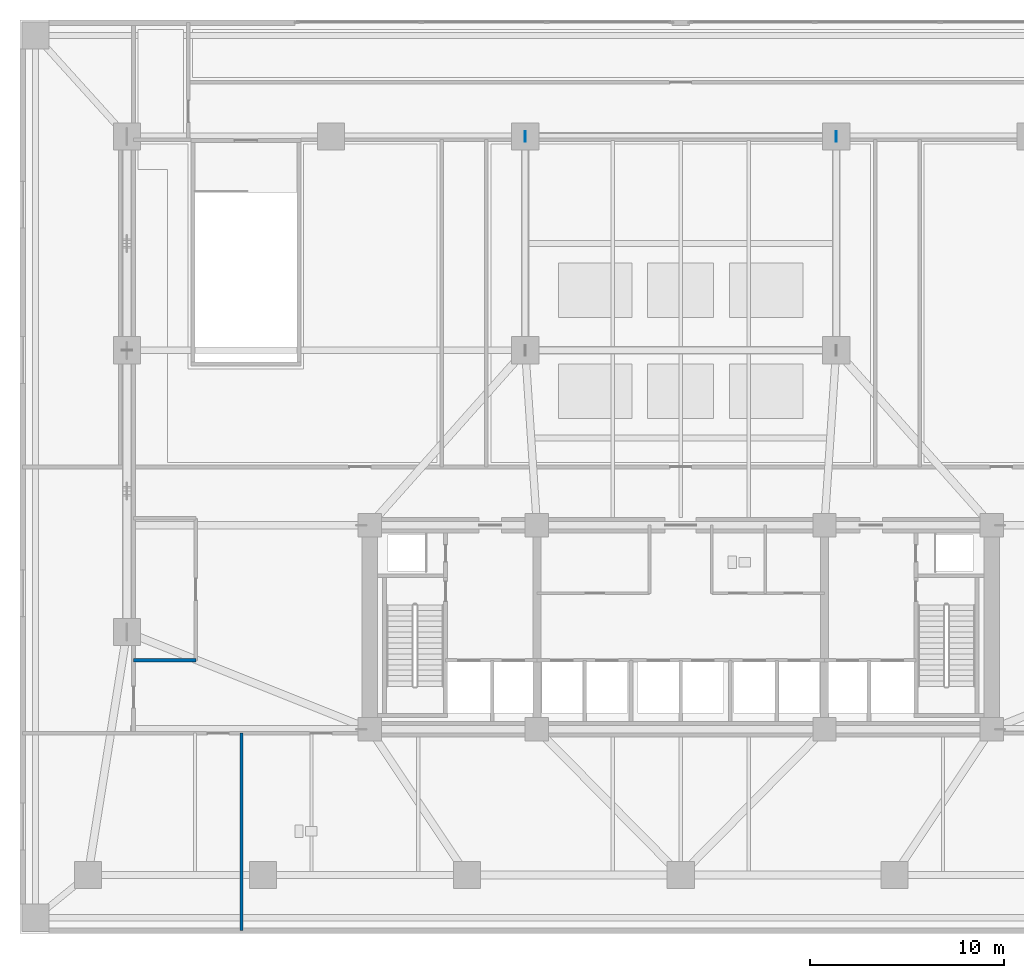
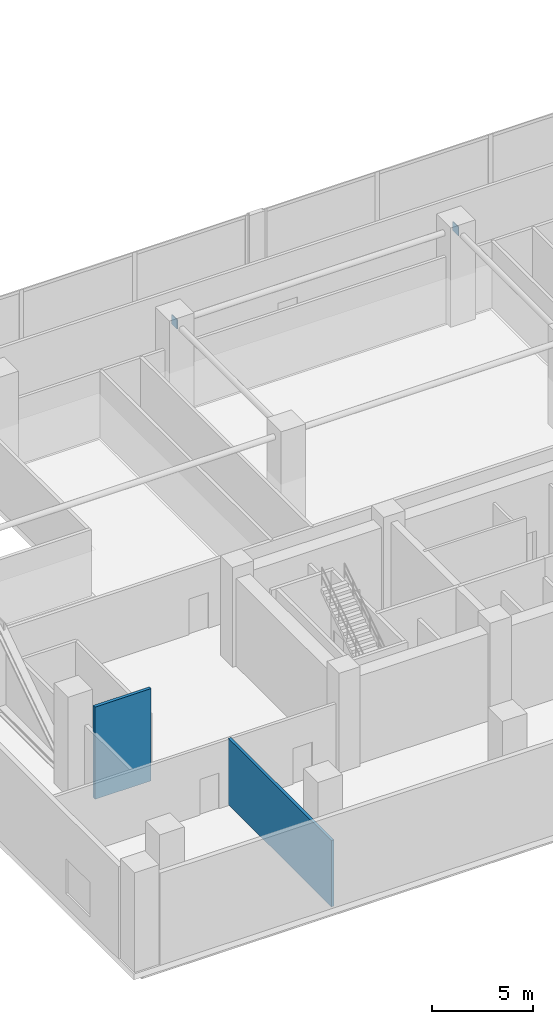
# One storey, part 10 of 16: 2 plates, 2 walls.
"""IFC4 building model written with IfcOpenShell, lengths in metres."""

from ifc_helpers import new_model, si_unit, direction, frame, frame_2d, origin, origin_2d, place, context, subcontext, project, spatial, rectangle, extrude, material, layer, layer_set, type_object, element, save


model = new_model("IFC4")

# Units and contexts
model_context = context("Model", 3, precision=1e-05, world=origin(), true_north=direction((0.0, 1.0)))
body_context = subcontext(model_context, "Body", "Model", "MODEL_VIEW")
ifc_project = project(units=[si_unit("LENGTHUNIT", "METRE"), si_unit("AREAUNIT", "SQUARE_METRE"), si_unit("VOLUMEUNIT", "CUBIC_METRE"), si_unit("PLANEANGLEUNIT", "RADIAN"), si_unit("MASSUNIT", "GRAM", prefix="KILO")], contexts=[model_context])

# Site, building, storey
site_placement = place(None, origin())
site = spatial("IfcSite", under=ifc_project, at=site_placement, CompositionType="ELEMENT")
building_placement = place(site_placement, origin())
building = spatial("IfcBuilding", under=site, at=building_placement, Name="Solmavex Isthmus Hotel", CompositionType="ELEMENT")
storey_placement = place(building_placement, frame((0.0, 0.0, 20.39990234375)))
storey = spatial("IfcBuildingStorey", under=building, at=storey_placement, Name="L05", CompositionType="ELEMENT", Elevation=20.39990234375)

# Plates
ifc_material_1 = material(Name="Steel ASTM A572 Grade 50", Category="steel")
ifc_layer_1 = layer(ifc_material_1, 0.0400390625)
ifc_layer_set_1 = layer_set([ifc_layer_1], Name="Steel ASTM A572 Grade 50")
plate_type = type_object("IfcPlateType", Name="PLT-STIFF-40", PredefinedType="USERDEFINED", material=ifc_layer_set_1)
for number, where, z_axis, x_axis, name in (
    (1, (-8.0, 17.5, 5.01513671875), (0.0, 0.0, 1.0), (0.0, 1.0, 0.0), "Skylight Brace End Plate 002"),
    (2, (8.0, 17.5, 5.01513671875), (0.0, 0.0, 1.0), (0.0, 1.0, 0.0), "Skylight Brace End Plate 004"),
):
    element("IfcPlate", number, at=place(storey_placement, frame(where, z_axis=z_axis, x_axis=x_axis)), inside=storey, type_object=plate_type, Name=name, ObjectType="STIFFENER_PLATE", PredefinedType="USERDEFINED", context=body_context, shape_type="SweptSolid", body=[
        extrude(rectangle(XDim=0.550048828125, YDim=0.0400390625, at=origin_2d()), origin(), (0.0, 0.0, 1.0), 0.550048828125),
    ])

# Walls
ifc_material_2 = material(Name="Gypsum plasterboard lining", Category="gypsum")
ifc_layer_2 = layer(ifc_material_2, 0.159912109375)
ifc_layer_set_2 = layer_set([ifc_layer_2], Name="Gypsum plasterboard lining")
wall_type_1 = type_object("IfcWallType", Name="IW-COMP-160", PredefinedType="PARTITIONING", material=ifc_layer_set_2)
wall_1_placement = place(storey_placement, frame((-22.60009765625, -23.360107421875, 0.0), z_axis=(0.0, 0.0, 1.0), x_axis=(0.0, 1.0, 0.0)))
element("IfcWall", 3, at=wall_1_placement, inside=storey, type_object=wall_type_1, Name="Interior Partition Wall W-L05-SWM", PredefinedType="PARTITIONING", context=body_context, shape_type="SweptSolid", body=[
    extrude(rectangle(XDim=10.16015625, YDim=0.159912109375, at=frame_2d((5.080078125, 0.0))), origin(), (0.0, 0.0, 1.0), 3.985107421875),
])
ifc_material_3 = material(Name="Concrete C40/50", Category="concrete")
ifc_layer_3 = layer(ifc_material_3, 0.179931640625)
ifc_layer_set_3 = layer_set([ifc_layer_3], Name="Concrete C40/50")
wall_type_2 = type_object("IfcWallType", Name="IW-SHAFT-180", PredefinedType="PARTITIONING", material=ifc_layer_set_3)
wall_2_placement = place(storey_placement, frame((-28.14990234375, -9.449951171875, 0.0), z_axis=(0.0, 0.0, 1.0), x_axis=(1.0, 0.0, 0.0)))
element("IfcWall", 4, at=wall_2_placement, inside=storey, type_object=wall_type_2, Name="Interior Partition Wall W-L05-CSW2", PredefinedType="PARTITIONING", context=body_context, shape_type="SweptSolid", body=[
    extrude(rectangle(XDim=3.199951171875, YDim=0.179931640625, at=frame_2d((1.60009765625, 0.0))), origin(), (0.0, 0.0, 1.0), 5.550048828125),
])

save(model, "model.ifc")
